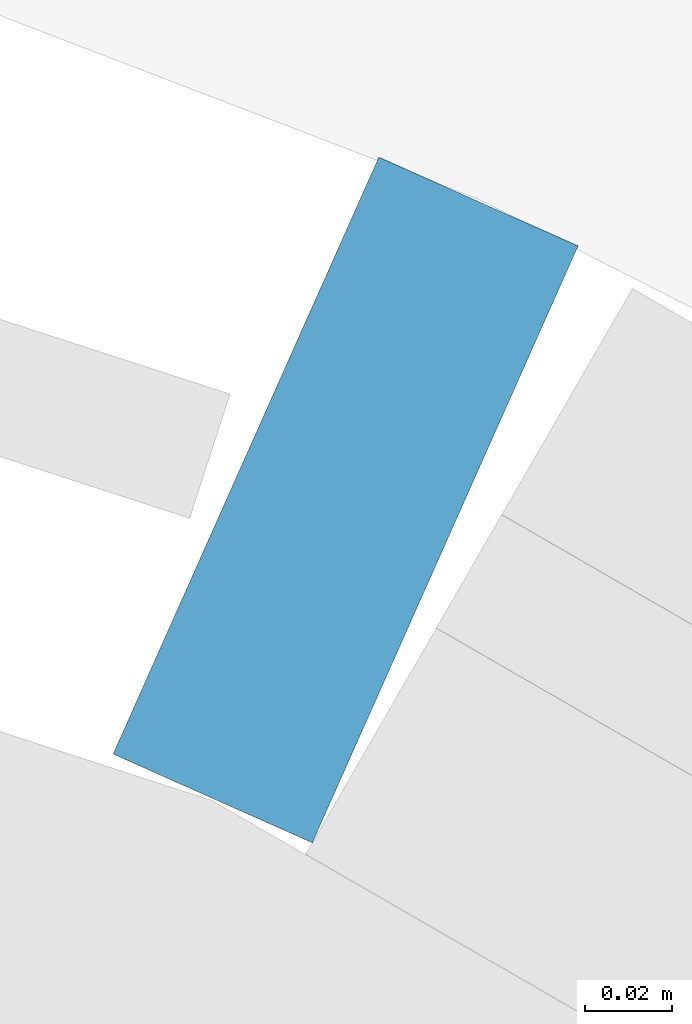
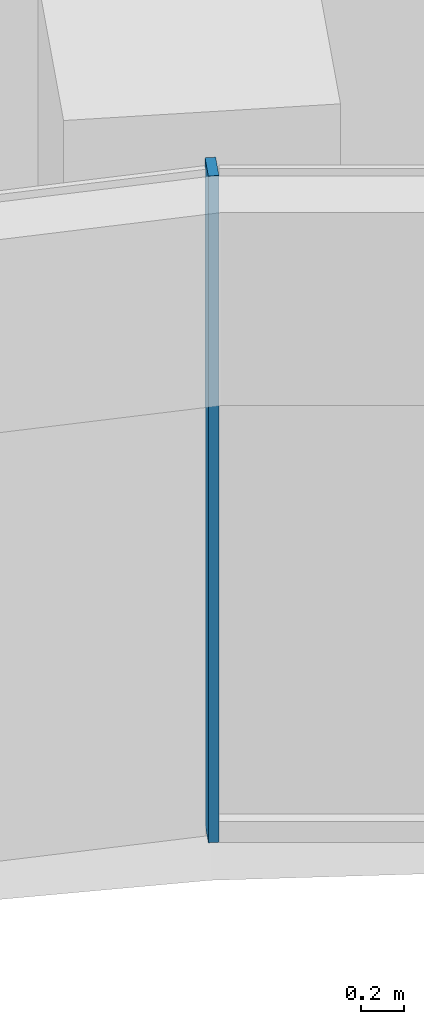
# One storey, part 4 of 19: 1 member, 1 element without a shape of its own.
"""IFC4 building model written with IfcOpenShell, lengths in metres."""

from ifc_helpers import new_model, si_unit, direction, frame, origin, origin_2d, place, context, subcontext, project, spatial, rectangle, extrude, material, layer, layer_set, material_profile, profile_set, type_object, element, aggregate, save


model = new_model("IFC4")

# Units and contexts
model_context = context("Model", 3, precision=1e-05, world=origin(), true_north=direction((0.0, 1.0)))
body_context = subcontext(model_context, "Body", "Model", "MODEL_VIEW")
ifc_project = project(units=[si_unit("LENGTHUNIT", "METRE"), si_unit("AREAUNIT", "SQUARE_METRE"), si_unit("VOLUMEUNIT", "CUBIC_METRE"), si_unit("PLANEANGLEUNIT", "RADIAN"), si_unit("MASSUNIT", "GRAM", prefix="KILO")], contexts=[model_context])

# Site, building, storey
site_placement = place(None, origin())
site = spatial("IfcSite", under=ifc_project, at=site_placement, CompositionType="ELEMENT")
building_placement = place(site_placement, origin())
building = spatial("IfcBuilding", under=site, at=building_placement, Name="Stone Belt Terrace Tower", CompositionType="ELEMENT")
storey_placement = place(building_placement, frame((0.0, 0.0, 128.800048828125)))
storey = spatial("IfcBuildingStorey", under=building, at=storey_placement, Name="L31", CompositionType="ELEMENT", Elevation=128.800048828125)

# Curtain wall, member
ifc_material = material(Name="Aluminium 6063-T6 anodised frame", Category="aluminium")
ifc_layer = layer(ifc_material, 0.14990234375)
ifc_layer_set = layer_set([ifc_layer], Name="CW-B unitised concave-face curtain wall")
curtain_wall_type = type_object("IfcCurtainWallType", Name="CW-B unitised concave-face curtain wall", PredefinedType="NOTDEFINED", material=ifc_layer_set)
curtain_wall_placement = place(storey_placement, origin())
curtain_wall = element("IfcCurtainWall", 1, at=curtain_wall_placement, inside=storey, type_object=curtain_wall_type, Name="CW-B concave face L31", PredefinedType="NOTDEFINED")
ifc_material_profile = material_profile(ifc_material, rectangle(XDim=0.14990234375, YDim=0.050048828125, at=origin_2d()), Name="Aluminium 6063-T6 50x150")
ifc_profile_set = profile_set([ifc_material_profile], Name="Aluminium 6063-T6 anodised frame")
member_type = type_object("IfcMemberType", Name="CW-B mullion 50 x 150", PredefinedType="MULLION", material=ifc_profile_set)
member_placement = place(storey_placement, frame((17.662353515625, 39.67041015625, 0.0), z_axis=(0.0, 0.0, 1.0), x_axis=(0.406736643076, 0.913545457643, 0.0)))
member = element("IfcMember", 2, at=member_placement, type_object=member_type, Name="CW-B mullion 7", PredefinedType="MULLION", context=body_context, shape_type="SweptSolid", body=[
    extrude(rectangle(XDim=0.14990234375, YDim=0.050048828125, at=origin_2d()), origin(), (0.0, 0.0, 1.0), 3.800048828125),
])
aggregate(curtain_wall, [member])

save(model, "model.ifc")
